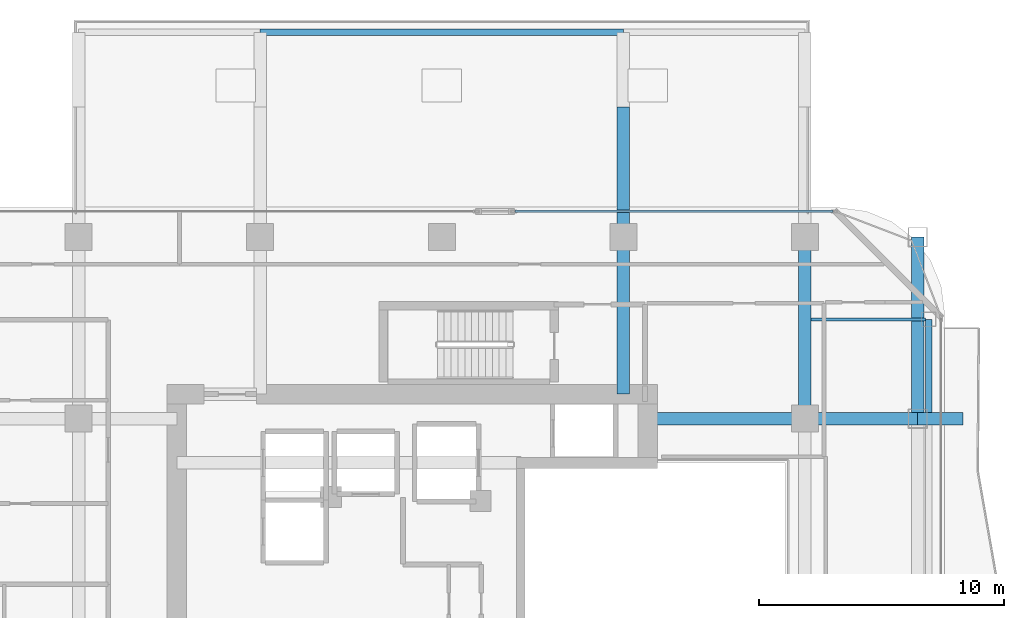
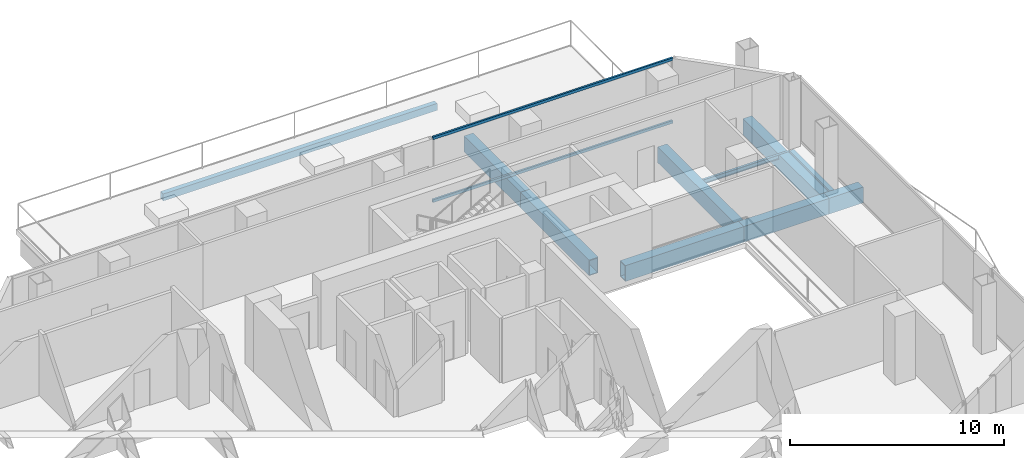
# One storey, part 14 of 24: 10 beams, 2 members, 1 element without a shape of its own.
"""IFC4 building model written with IfcOpenShell, lengths in metres."""

from ifc_helpers import new_model, si_unit, direction, frame, origin, origin_2d, place, context, subcontext, project, spatial, hollow_rectangle, i_section, extrude, material, layer, layer_set, material_profile, profile_set, type_object, element, aggregate, save


model = new_model("IFC4")

# Units and contexts
model_context = context("Model", 3, precision=1e-05, world=origin(), true_north=direction((0.0, 1.0)))
body_context = subcontext(model_context, "Body", "Model", "MODEL_VIEW")
ifc_project = project(units=[si_unit("LENGTHUNIT", "METRE"), si_unit("AREAUNIT", "SQUARE_METRE"), si_unit("VOLUMEUNIT", "CUBIC_METRE"), si_unit("PLANEANGLEUNIT", "RADIAN"), si_unit("MASSUNIT", "GRAM", prefix="KILO")], contexts=[model_context])

# Site, building, storey
site_placement = place(None, origin())
site = spatial("IfcSite", under=ifc_project, at=site_placement, CompositionType="ELEMENT")
building_placement = place(site_placement, origin())
building = spatial("IfcBuilding", under=site, at=building_placement, Name="Khorvyn Point Tower", CompositionType="ELEMENT")
storey_placement = place(building_placement, frame((0.0, 0.0, 191.39990234375)))
storey = spatial("IfcBuildingStorey", under=building, at=storey_placement, Name="L47", CompositionType="ELEMENT", Elevation=191.39990234375)

# Curtain wall, members
ifc_material_1 = material(Name="Anodised aluminium 6063-T6 and laminated Low-E glass", Category="aluminium")
ifc_layer = layer(ifc_material_1, 0.18994140625)
ifc_layer_set = layer_set([ifc_layer], Name="Stick-Built Acoustic Curtain Wall CW-SYS-03")
curtain_wall_type = type_object("IfcCurtainWallType", Name="Stick-Built Acoustic Curtain Wall CW-SYS-03", PredefinedType="NOTDEFINED", material=ifc_layer_set)
curtain_wall_placement = place(storey_placement, origin())
curtain_wall = element("IfcCurtainWall", 1, at=curtain_wall_placement, inside=storey, type_object=curtain_wall_type, Name="Curtain Wall", PredefinedType="NOTDEFINED")
ifc_material_2 = material(Name="Anodised aluminium 6063-T6", Category="aluminium")
ifc_material_profile_1 = material_profile(ifc_material_2, hollow_rectangle(XDim=0.10009765625, YDim=0.159912109375, WallThickness=0.00439453125, at=origin_2d()))
ifc_profile_set_1 = profile_set([ifc_material_profile_1], Name="Anodised aluminium 6063-T6 ALU-TRN-100x160")
member_type = type_object("IfcMemberType", Name="Anodised Aluminium 6063-T6 Transom ALU-TRN-100x160", PredefinedType="USERDEFINED", material=ifc_profile_set_1)
member_1_placement = place(storey_placement, frame((2.990966796875, 15.85009765625, 0.050048828125), z_axis=(1.0, 0.0, 0.0), x_axis=(0.0, 1.0, 0.0)))
member_1 = element("IfcMember", 2, at=member_1_placement, type_object=member_type, Name="Transom", ObjectType="TRANSOM", PredefinedType="USERDEFINED", context=body_context, shape_type="SweptSolid", body=[
    extrude(hollow_rectangle(XDim=0.10009765625, YDim=0.159912109375, WallThickness=0.00439453125, at=origin_2d()), origin(), (0.0, 0.0, 1.0), 12.958984375),
])
member_2_placement = place(storey_placement, frame((2.990966796875, 15.85009765625, 3.630126953125), z_axis=(1.0, 0.0, 0.0), x_axis=(0.0, 1.0, 0.0)))
member_2 = element("IfcMember", 3, at=member_2_placement, type_object=member_type, Name="Transom", ObjectType="TRANSOM", PredefinedType="USERDEFINED", context=body_context, shape_type="SweptSolid", body=[
    extrude(hollow_rectangle(XDim=0.10009765625, YDim=0.159912109375, WallThickness=0.00439453125, at=origin_2d()), origin(), (0.0, 0.0, 1.0), 12.958984375),
])
aggregate(curtain_wall, [member_1, member_2])

# Beams
ifc_material_3 = material(Name="Steel S355", Category="steel")
ifc_material_profile_2 = material_profile(ifc_material_3, i_section(OverallWidth=0.125, OverallDepth=0.25, WebThickness=0.006103515625, FlangeThickness=0.009033203125, at=origin_2d()))
ifc_profile_set_2 = profile_set([ifc_material_profile_2], Name="Steel S355 H250x125x6x9")
beam_type_1 = type_object("IfcBeamType", Name="Steel S355 Joist H250x125x6x9", PredefinedType="JOIST", material=ifc_profile_set_2)
beam_1_placement = place(storey_placement, frame((15.050048828125, 11.449951171875, -0.40478515625), z_axis=(1.0, 0.0, 0.0), x_axis=(0.0, 1.0, 0.0)))
element("IfcBeam", 4, at=beam_1_placement, inside=storey, type_object=beam_type_1, Name="Beam", PredefinedType="JOIST", context=body_context, shape_type="SweptSolid", body=[
    extrude(i_section(OverallWidth=0.125, OverallDepth=0.25, WebThickness=0.006103515625, FlangeThickness=0.009033203125, at=origin_2d()), origin(), (0.0, 0.0, 1.0), 4.675048828125),
])
ifc_material_profile_3 = material_profile(ifc_material_3, hollow_rectangle(XDim=0.25, YDim=0.39990234375, WallThickness=0.01611328125, at=origin_2d()))
ifc_profile_set_3 = profile_set([ifc_material_profile_3], Name="Steel S355 RHS400x250x16")
beam_type_2 = type_object("IfcBeamType", Name="Steel S355 Spandrel RHS400x250x16", PredefinedType="SPANDREL", material=ifc_profile_set_3)
beam_2_placement = place(storey_placement, frame((19.85009765625, 7.39990234375, -0.47998046875), z_axis=(0.0, 1.0, 0.0), x_axis=(-1.0, 0.0, 0.0)))
element("IfcBeam", 5, at=beam_2_placement, inside=storey, type_object=beam_type_2, Name="Beam", PredefinedType="SPANDREL", context=body_context, shape_type="SweptSolid", body=[
    extrude(hollow_rectangle(XDim=0.25, YDim=0.39990234375, WallThickness=0.01611328125, at=origin_2d()), origin(), (0.0, 0.0, 1.0), 4.050048828125),
])
beam_3_placement = place(storey_placement, frame((-7.39990234375, 23.14990234375, -0.47998046875), z_axis=(1.0, 0.0, 0.0), x_axis=(0.0, 1.0, 0.0)))
element("IfcBeam", 6, at=beam_3_placement, inside=storey, type_object=beam_type_2, Name="Beam", PredefinedType="SPANDREL", context=body_context, shape_type="SweptSolid", body=[
    extrude(hollow_rectangle(XDim=0.25, YDim=0.39990234375, WallThickness=0.01611328125, at=origin_2d()), origin(), (0.0, 0.0, 1.0), 14.7998046875),
])
ifc_material_4 = material(Name="Steel S450", Category="steel")
ifc_material_profile_4 = material_profile(ifc_material_4, hollow_rectangle(XDim=0.5, YDim=0.89990234375, WallThickness=0.0400390625, at=origin_2d()))
ifc_profile_set_4 = profile_set([ifc_material_profile_4], Name="Steel S450 BOX900x500x40")
beam_type_3 = type_object("IfcBeamType", Name="Steel S450 Beam BOX900x500x40", PredefinedType="BEAM", material=ifc_profile_set_4)
beam_4_placement = place(storey_placement, frame((8.39990234375, 7.39990234375, -0.72998046875), z_axis=(1.0, 0.0, 0.0), x_axis=(0.0, 1.0, 0.0)))
element("IfcBeam", 7, at=beam_4_placement, inside=storey, type_object=beam_type_3, Name="Beam", PredefinedType="BEAM", context=body_context, shape_type="SweptSolid", body=[
    extrude(hollow_rectangle(XDim=0.5, YDim=0.89990234375, WallThickness=0.0400390625, at=origin_2d()), origin(), (0.0, 0.0, 1.0), 6.400146484375),
])
beam_5_placement = place(storey_placement, frame((14.800048828125, 7.39990234375, -0.72998046875), z_axis=(1.0, 0.0, 0.0), x_axis=(0.0, 1.0, 0.0)))
element("IfcBeam", 8, at=beam_5_placement, inside=storey, type_object=beam_type_3, Name="Beam", PredefinedType="BEAM", context=body_context, shape_type="SweptSolid", body=[
    extrude(hollow_rectangle(XDim=0.5, YDim=0.89990234375, WallThickness=0.0400390625, at=origin_2d()), origin(), (0.0, 0.0, 1.0), 4.599853515625),
])
beam_6_placement = place(storey_placement, frame((19.39990234375, 7.39990234375, -0.72998046875), z_axis=(1.0, 0.0, 0.0), x_axis=(0.0, 1.0, 0.0)))
element("IfcBeam", 9, at=beam_6_placement, inside=storey, type_object=beam_type_3, Name="Beam", PredefinedType="BEAM", context=body_context, shape_type="SweptSolid", body=[
    extrude(hollow_rectangle(XDim=0.5, YDim=0.89990234375, WallThickness=0.0400390625, at=origin_2d()), origin(), (0.0, 0.0, 1.0), 1.85009765625),
])
beam_7_placement = place(storey_placement, frame((14.800048828125, 7.39990234375, -0.72998046875), z_axis=(0.0, 1.0, 0.0), x_axis=(-1.0, 0.0, 0.0)))
element("IfcBeam", 10, at=beam_7_placement, inside=storey, type_object=beam_type_3, Name="L47 Radial Transfer Girder", PredefinedType="BEAM", context=body_context, shape_type="SweptSolid", body=[
    extrude(hollow_rectangle(XDim=0.5, YDim=0.89990234375, WallThickness=0.0400390625, at=origin_2d()), origin(), (0.0, 0.0, 1.0), 7.400146484375),
])
beam_8_placement = place(storey_placement, frame((7.39990234375, 8.39990234375, -0.72998046875), z_axis=(0.0, 1.0, 0.0), x_axis=(-1.0, 0.0, 0.0)))
element("IfcBeam", 11, at=beam_8_placement, inside=storey, type_object=beam_type_3, Name="Beam", PredefinedType="BEAM", context=body_context, shape_type="SweptSolid", body=[
    extrude(hollow_rectangle(XDim=0.5, YDim=0.89990234375, WallThickness=0.0400390625, at=origin_2d()), origin(), (0.0, 0.0, 1.0), 6.400146484375),
])
beam_9_placement = place(storey_placement, frame((7.39990234375, 14.800048828125, -0.72998046875), z_axis=(0.0, 1.0, 0.0), x_axis=(-1.0, 0.0, 0.0)))
element("IfcBeam", 12, at=beam_9_placement, inside=storey, type_object=beam_type_3, Name="Beam", PredefinedType="BEAM", context=body_context, shape_type="SweptSolid", body=[
    extrude(hollow_rectangle(XDim=0.5, YDim=0.89990234375, WallThickness=0.0400390625, at=origin_2d()), origin(), (0.0, 0.0, 1.0), 5.300048828125),
])
beam_10_placement = place(storey_placement, frame((19.39990234375, 7.39990234375, -0.72998046875), z_axis=(0.0, 1.0, 0.0), x_axis=(-1.0, 0.0, 0.0)))
element("IfcBeam", 13, at=beam_10_placement, inside=storey, type_object=beam_type_3, Name="Beam", PredefinedType="BEAM", context=body_context, shape_type="SweptSolid", body=[
    extrude(hollow_rectangle(XDim=0.5, YDim=0.89990234375, WallThickness=0.0400390625, at=origin_2d()), origin(), (0.0, 0.0, 1.0), 7.400146484375),
])

save(model, "model.ifc")
